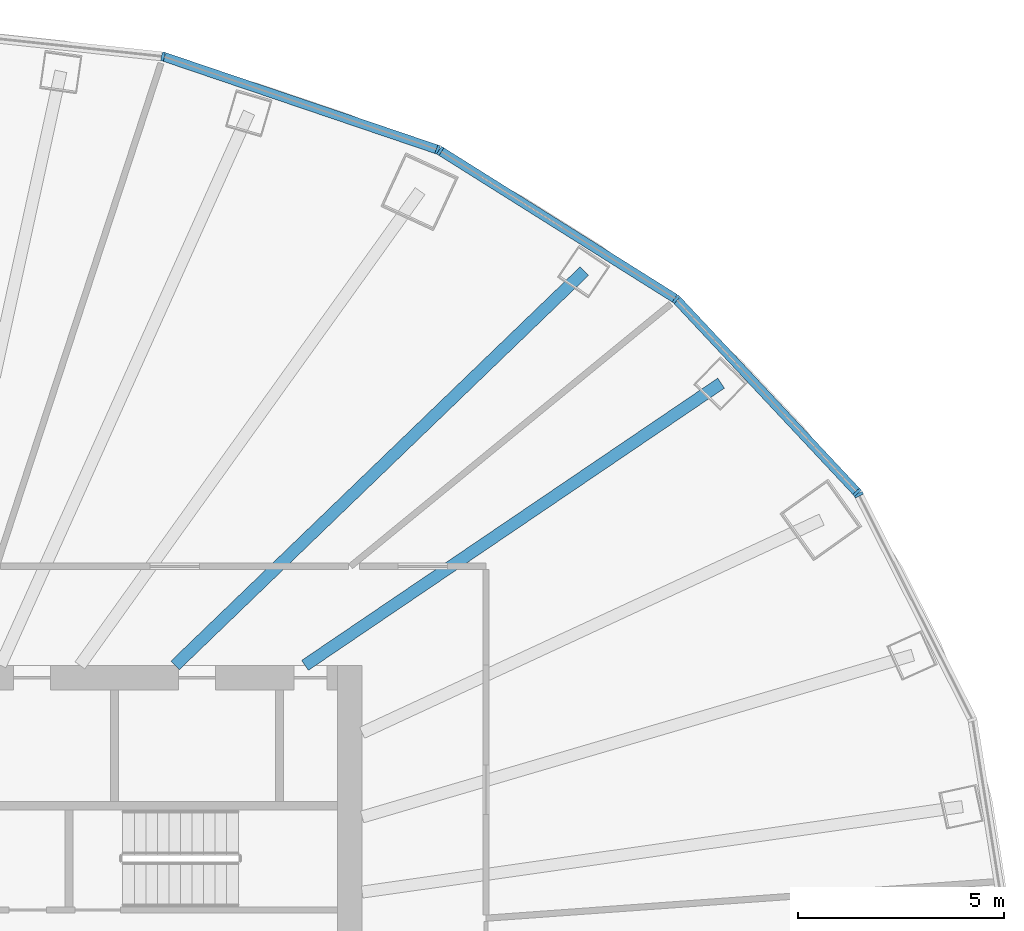
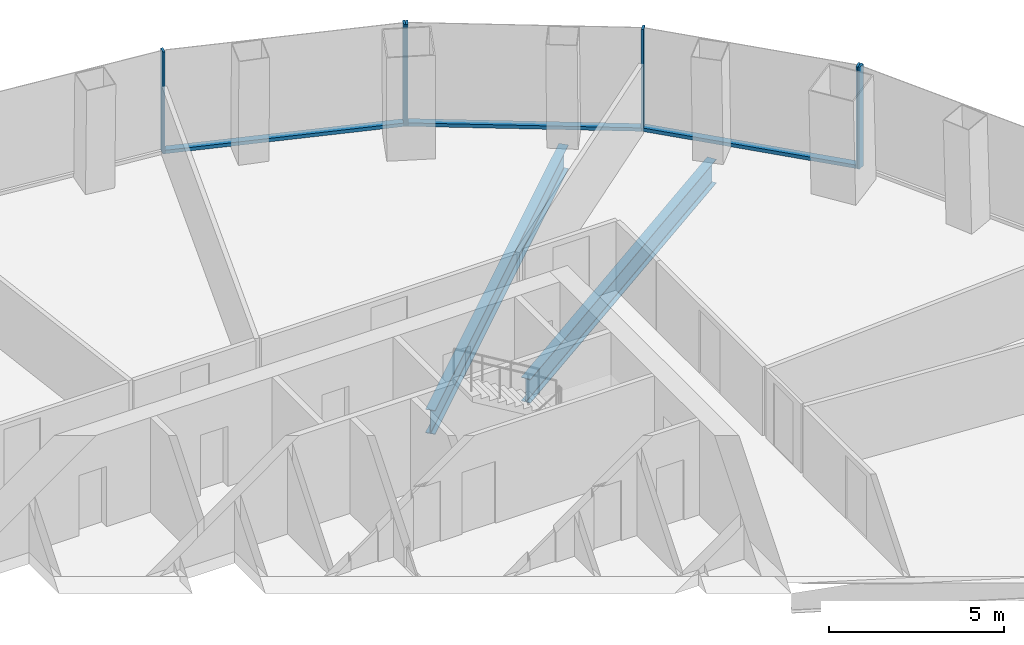
# One storey, part 6 of 11: 9 members, 2 beams, 3 elements without a shape of their own.
"""IFC4 building model written with IfcOpenShell, lengths in metres."""

import ifcopenshell
import ifcopenshell.guid

model = None  # the IFC model being written
_history = None  # IfcOwnerHistory: only IFC2X3 demands one
_inside = {}  # id of a spatial element -> (the spatial element, [elements in it])
_under = {}  # id of a project, library or spatial element -> (it, [spatial elements below it])
_declared = {}  # id of a project -> (the project, [libraries it declares])
_typed = {}  # id of a type object -> (the type object, [elements of that type])
_made_of = {}  # id of a material, layer set ... -> (it, [elements and type objects made of it])


def new_model(schema):
    """Start an empty IFC model of exactly this schema.

    Asked for "IFC4X3", IfcOpenShell would pick the latest addendum, in which some entities
    have other attributes; the version numbers below select the first issue.
    IFC2X3 requires an IfcOwnerHistory on every rooted entity: one is made here for all.
    """
    global model, _history
    if schema == "IFC4X3":
        model = ifcopenshell.file(schema_version=(4, 3, 0, 0))
    else:
        model = ifcopenshell.file(schema=schema)
    _inside.clear()
    _under.clear()
    _declared.clear()
    _typed.clear()
    _made_of.clear()
    _history = None
    if model.schema == "IFC2X3":
        org = make("IfcOrganization", Name="unknown")
        user = make(
            "IfcPersonAndOrganization",
            ThePerson=make("IfcPerson", FamilyName="unknown"),
            TheOrganization=org,
        )
        app = make(
            "IfcApplication",
            ApplicationDeveloper=org,
            Version="unknown",
            ApplicationFullName="unknown",
            ApplicationIdentifier="unknown",
        )
        _history = make(
            "IfcOwnerHistory",
            OwningUser=user,
            OwningApplication=app,
            ChangeAction="ADDED",
            CreationDate=0,
        )
    return model


def make(cls, **values):
    """One entity of the class cls with the attributes given. An attribute that is None is left unset."""
    return model.create_entity(
        cls, **{name: value for name, value in values.items() if value is not None}
    )


def rooted(cls, **values):
    """An entity with a GlobalId (a new one), such as an element, a storey or a relation."""
    return make(cls, GlobalId=ifcopenshell.guid.new(), OwnerHistory=_history, **values)


def si_unit(unit_type, name, prefix=None):
    """IfcSIUnit, for example si_unit("LENGTHUNIT", "METRE", prefix="MILLI")."""
    return make("IfcSIUnit", UnitType=unit_type, Prefix=prefix, Name=name)


def assignment(units):
    """IfcUnitAssignment: the units of a project."""
    return None if units is None else make("IfcUnitAssignment", Units=units)


def point(xyz):
    """IfcCartesianPoint."""
    return None if xyz is None else make("IfcCartesianPoint", Coordinates=xyz)


def direction(xyz):
    """IfcDirection."""
    return None if xyz is None else make("IfcDirection", DirectionRatios=xyz)


def frame(location, z_axis=None, x_axis=None):
    """IfcAxis2Placement3D, a coordinate frame: its origin and axes. An axis left out is left unset."""
    return make(
        "IfcAxis2Placement3D",
        Location=point(location),
        Axis=direction(z_axis),
        RefDirection=direction(x_axis),
    )


def frame_2d(location, x_axis=None):
    """IfcAxis2Placement2D, a coordinate frame in the plane: its origin and x axis."""
    return make(
        "IfcAxis2Placement2D", Location=point(location), RefDirection=direction(x_axis)
    )


def origin():
    """The frame at (0, 0, 0) with its axes left unset."""
    return frame((0.0, 0.0, 0.0))


def origin_2d():
    """The frame at (0, 0) in the plane with its x axis left unset."""
    return frame_2d((0.0, 0.0))


def place(relative_to, where):
    """IfcLocalPlacement: puts the frame where relative to a parent placement (None: the world)."""
    return make(
        "IfcLocalPlacement", PlacementRelTo=relative_to, RelativePlacement=where
    )


def context(
    kind, dimensions, precision=None, world=None, true_north=None, identifier=None
):
    """IfcGeometricRepresentationContext, for example the 3D "Model" context."""
    return make(
        "IfcGeometricRepresentationContext",
        ContextIdentifier=identifier,
        ContextType=kind,
        CoordinateSpaceDimension=dimensions,
        Precision=precision,
        WorldCoordinateSystem=world,
        TrueNorth=true_north,
    )


def subcontext(parent, identifier, kind, view, scale=None):
    """IfcGeometricRepresentationSubContext, for example "Body" below "Model"."""
    return make(
        "IfcGeometricRepresentationSubContext",
        ContextIdentifier=identifier,
        ContextType=kind,
        ParentContext=parent,
        TargetScale=scale,
        TargetView=view,
    )


def project(units=None, contexts=None):
    """IfcProject with its units and contexts."""
    return rooted(
        "IfcProject",
        Name="project",
        RepresentationContexts=contexts,
        UnitsInContext=assignment(units),
    )


def spatial(cls, under=None, at=None, **own):
    """A site, building, storey or space (cls), placed at a placement, below another one or the project."""
    s = rooted(cls, ObjectPlacement=at, **own)
    if under is not None:
        _under.setdefault(under.id(), (under, []))[1].append(s)
    return s


def profile(cls, at=None, kind="AREA", **sizes):
    """A parametric profile (cls). Its sizes go by their IFC names, for example OverallWidth=200.0."""
    return make(cls, ProfileType=kind, Position=at, **sizes)


def rectangle(**sizes):
    """IfcRectangleProfileDef."""
    return profile("IfcRectangleProfileDef", **sizes)


def i_section(**sizes):
    """IfcIShapeProfileDef."""
    return profile("IfcIShapeProfileDef", **sizes)


def extrude(swept, where, along, depth):
    """IfcExtrudedAreaSolid: the profile swept, set in the frame where, extruded along a direction by depth."""
    return make(
        "IfcExtrudedAreaSolid",
        SweptArea=swept,
        Position=where,
        ExtrudedDirection=direction(along),
        Depth=depth,
    )


def shape(context_of_items, identifier, shape_type, items):
    """IfcShapeRepresentation: the items that make up one representation, for example the "Body"."""
    return make(
        "IfcShapeRepresentation",
        ContextOfItems=context_of_items,
        RepresentationIdentifier=identifier,
        RepresentationType=shape_type,
        Items=items,
    )


def material(Name=None, Category=None):
    """IfcMaterial."""
    return make("IfcMaterial", Name=Name, Category=Category)


def layer(
    of_material, thickness, ventilated=None, Name=None, Category=None, Priority=None
):
    """IfcMaterialLayer: one layer of a wall or slab, of a material (None: an air gap)."""
    return make(
        "IfcMaterialLayer",
        Material=of_material,
        LayerThickness=thickness,
        IsVentilated=ventilated,
        Name=Name,
        Category=Category,
        Priority=Priority,
    )


def layer_set(layers, Name=None):
    """IfcMaterialLayerSet."""
    return make("IfcMaterialLayerSet", MaterialLayers=layers, LayerSetName=Name)


def material_profile(
    of_material, cross_section, Name=None, Category=None, Priority=None
):
    """IfcMaterialProfile: a cross section and its material."""
    return make(
        "IfcMaterialProfile",
        Name=Name,
        Material=of_material,
        Profile=cross_section,
        Priority=Priority,
        Category=Category,
    )


def profile_set(profiles, Name=None, composite=None):
    """IfcMaterialProfileSet."""
    return make(
        "IfcMaterialProfileSet",
        Name=Name,
        MaterialProfiles=profiles,
        CompositeProfile=composite,
    )


def made_of(thing, what):
    """Note that an element or type object is made of a material, layer set ...; save() writes the relation."""
    if what is not None:
        _made_of.setdefault(what.id(), (what, []))[1].append(thing)
    return thing


def type_object(cls, material=None, **own):
    """A type object (cls), such as IfcWallType, which elements share."""
    return made_of(rooted(cls, **own), material)


def element(
    cls,
    number,
    at=None,
    inside=None,
    cuts=None,
    type_object=None,
    material=None,
    context=None,
    identifier="Body",
    shape_type=None,
    held_by="IfcProductDefinitionShape",
    body=None,
    shapes=None,
    **own,
):
    """One element of the class cls, such as IfcWall. Its Tag is "e" and its number.

    at: its placement. inside: the storey or other place that contains it. cuts: it is an
    opening in that element (IfcRelVoidsElement). A single representation is given by context,
    identifier, shape_type and body (its items); several are given by shapes. held_by: the class
    of the entity that holds the representations. save() writes the other relations.
    """
    e = rooted(cls, Tag="e%d" % number, ObjectPlacement=at, **own)
    if body is not None:
        shapes = [shape(context, identifier, shape_type, body)]
    if shapes is not None:
        e.Representation = make(held_by, Representations=shapes)
    if inside is not None:
        _inside.setdefault(inside.id(), (inside, []))[1].append(e)
    if cuts is not None:
        rooted(
            "IfcRelVoidsElement", RelatingBuildingElement=cuts, RelatedOpeningElement=e
        )
    if type_object is not None:
        _typed.setdefault(type_object.id(), (type_object, []))[1].append(e)
    return made_of(e, material)


def aggregate(whole, parts):
    """IfcRelAggregates: a whole, such as a stair, and the parts it consists of."""
    return rooted("IfcRelAggregates", RelatingObject=whole, RelatedObjects=parts)


def save(model, path):
    """Write the relations noted so far, then the file.

    IfcRelAggregates (storeys below a building ...), IfcRelContainedInSpatialStructure (elements
    in a storey), IfcRelDefinesByType, IfcRelAssociatesMaterial and IfcRelDeclares: one each for
    every whole, place, type object, material and project.
    """
    for whole, parts in _under.values():
        aggregate(whole, parts)
    for where, things in _inside.values():
        rooted(
            "IfcRelContainedInSpatialStructure",
            RelatedElements=things,
            RelatingStructure=where,
        )
    for kind, things in _typed.values():
        rooted("IfcRelDefinesByType", RelatedObjects=things, RelatingType=kind)
    for what, things in _made_of.values():
        rooted("IfcRelAssociatesMaterial", RelatedObjects=things, RelatingMaterial=what)
    for by, libraries in _declared.values():
        rooted("IfcRelDeclares", RelatingContext=by, RelatedDefinitions=libraries)
    model.write(path)


model = new_model("IFC4")

# Units and contexts
model_context = context("Model", 3, precision=1e-05, world=origin(), true_north=direction((0.0, 1.0)))
body_context = subcontext(model_context, "Body", "Model", "MODEL_VIEW")
ifc_project = project(units=[si_unit("LENGTHUNIT", "METRE"), si_unit("AREAUNIT", "SQUARE_METRE"), si_unit("VOLUMEUNIT", "CUBIC_METRE"), si_unit("PLANEANGLEUNIT", "RADIAN"), si_unit("MASSUNIT", "GRAM", prefix="KILO")], contexts=[model_context])

# Site, building, storey
site_placement = place(None, origin())
site = spatial("IfcSite", under=ifc_project, at=site_placement, CompositionType="ELEMENT")
building_placement = place(site_placement, origin())
building = spatial("IfcBuilding", under=site, at=building_placement, Name="Siaravel Broadcast Tower", CompositionType="ELEMENT")
storey_placement = place(building_placement, frame((0.0, 0.0, 51.89990234375)))
storey = spatial("IfcBuildingStorey", under=building, at=storey_placement, Name="L11", CompositionType="ELEMENT", Elevation=51.89990234375)

# Beams
ifc_material_1 = material(Name="Steel S355", Category="steel")
ifc_material_profile_1 = material_profile(ifc_material_1, i_section(OverallWidth=0.291748046875, OverallDepth=0.8349609375, WebThickness=0.013916015625, FlangeThickness=0.018798828125, FilletRadius=0.017822265625, at=origin_2d()))
ifc_profile_set_1 = profile_set([ifc_material_profile_1], Name="Steel S355")
beam_type = type_object("IfcBeamType", Name="BM-UB 838x292x176", PredefinedType="BEAM", material=ifc_profile_set_1)
beam_1_placement = place(storey_placement, frame((20.69580078125, 14.0361328125, -0.5673828125), z_axis=(-0.827610801, -0.56130238, 0.0), x_axis=(0.56130238, -0.827610801, 0.0)))
element("IfcBeam", 1, at=beam_1_placement, inside=storey, type_object=beam_type, Name="Radial beam RB05", PredefinedType="BEAM", context=body_context, shape_type="SweptSolid", body=[
    extrude(i_section(OverallWidth=0.291748046875, OverallDepth=0.8349609375, WebThickness=0.013916015625, FlangeThickness=0.018798828125, FilletRadius=0.017822265625, at=origin_2d()), origin(), (0.0, 0.0, 1.0), 12.17919921875),
])
beam_2_placement = place(storey_placement, frame((17.381591796875, 16.750732421875, -0.5673828125), z_axis=(-0.720050335, -0.693921836, 0.0), x_axis=(0.693921836, -0.720050335, 0.0)))
element("IfcBeam", 2, at=beam_2_placement, inside=storey, type_object=beam_type, Name="Radial beam RB06", PredefinedType="BEAM", context=body_context, shape_type="SweptSolid", body=[
    extrude(i_section(OverallWidth=0.291748046875, OverallDepth=0.8349609375, WebThickness=0.013916015625, FlangeThickness=0.018798828125, FilletRadius=0.017822265625, at=origin_2d()), origin(), (0.0, 0.0, 1.0), 13.763427734375),
])

# Curtain wall, member
ifc_material_2 = material(Name="Aluminium 6063-T6", Category="aluminium")
ifc_layer = layer(ifc_material_2, 0.219970703125)
ifc_layer_set = layer_set([ifc_layer], Name="Aluminium 6063-T6")
curtain_wall_type = type_object("IfcCurtainWallType", Name="Unitised curtain wall, zone 1", PredefinedType="NOTDEFINED", material=ifc_layer_set)
curtain_wall_1_placement = place(storey_placement, origin())
curtain_wall_1 = element("IfcCurtainWall", 3, at=curtain_wall_1_placement, inside=storey, type_object=curtain_wall_type, Name="L11 Unitised curtain wall, zone 1 01", PredefinedType="NOTDEFINED")
ifc_material_profile_2 = material_profile(ifc_material_2, rectangle(XDim=0.219970703125, YDim=0.070068359375, at=origin_2d()))
ifc_profile_set_2 = profile_set([ifc_material_profile_2], Name="Aluminium 6063-T6")
member_type_1 = type_object("IfcMemberType", Name="CW-Z1 mullion", PredefinedType="MULLION", material=ifc_profile_set_2)
member_1_placement = place(storey_placement, frame((24.02978515625, 11.3349609375, 0.0), z_axis=(0.0, 0.0, 1.0), x_axis=(-0.892391886, -0.451261257, 0.0)))
member_1 = element("IfcMember", 4, at=member_1_placement, type_object=member_type_1, Name="CW-Z1 mullion 3", PredefinedType="MULLION", context=body_context, shape_type="SweptSolid", body=[
    extrude(rectangle(XDim=0.219970703125, YDim=0.070068359375, at=origin_2d()), origin(), (0.0, 0.0, 1.0), 3.550048828125),
])
aggregate(curtain_wall_1, [member_1])

# Curtain wall, members
curtain_wall_2_placement = place(storey_placement, origin())
curtain_wall_2 = element("IfcCurtainWall", 5, at=curtain_wall_2_placement, inside=storey, type_object=curtain_wall_type, Name="L11 Unitised curtain wall, zone 1 02", PredefinedType="NOTDEFINED")
member_2_placement = place(storey_placement, frame((23.990234375, 11.3916015625, 0.0), z_axis=(0.0, 0.0, 1.0), x_axis=(-0.729805061, -0.683655302, 0.0)))
member_2 = element("IfcMember", 6, at=member_2_placement, type_object=member_type_1, Name="CW-Z1 mullion 1", PredefinedType="MULLION", context=body_context, shape_type="SweptSolid", body=[
    extrude(rectangle(XDim=0.219970703125, YDim=0.070068359375, at=origin_2d()), origin(), (0.0, 0.0, 1.0), 3.550048828125),
])
member_3_placement = place(storey_placement, frame((19.605712890625, 16.072021484375, 0.0), z_axis=(0.0, 0.0, 1.0), x_axis=(-0.636218527, -0.771508902, 0.0)))
member_3 = element("IfcMember", 7, at=member_3_placement, type_object=member_type_1, Name="CW-Z1 mullion 2", PredefinedType="MULLION", context=body_context, shape_type="SweptSolid", body=[
    extrude(rectangle(XDim=0.219970703125, YDim=0.070068359375, at=origin_2d()), origin(), (0.0, 0.0, 1.0), 3.550048828125),
])
member_4_placement = place(storey_placement, frame((13.89208984375, 19.663330078125, 0.0), z_axis=(0.0, 0.0, 1.0), x_axis=(-0.532149214, -0.846650586, 0.0)))
member_4 = element("IfcMember", 8, at=member_4_placement, type_object=member_type_1, Name="CW-Z1 mullion 3", PredefinedType="MULLION", context=body_context, shape_type="SweptSolid", body=[
    extrude(rectangle(XDim=0.219970703125, YDim=0.070068359375, at=origin_2d()), origin(), (0.0, 0.0, 1.0), 3.550048828125),
])

curtain_wall_3_placement = place(storey_placement, origin())
curtain_wall_3 = element("IfcCurtainWall", 9, at=curtain_wall_3_placement, inside=storey, type_object=curtain_wall_type, Name="L11 Unitised curtain wall, zone 1 03", PredefinedType="NOTDEFINED")
member_5_placement = place(storey_placement, frame((13.8291015625, 19.693115234375, 0.0), z_axis=(0.0, 0.0, 1.0), x_axis=(-0.321300709, -0.94697722, 0.0)))
member_5 = element("IfcMember", 10, at=member_5_placement, type_object=member_type_1, Name="CW-Z1 mullion 1", PredefinedType="MULLION", context=body_context, shape_type="SweptSolid", body=[
    extrude(rectangle(XDim=0.219970703125, YDim=0.070068359375, at=origin_2d()), origin(), (0.0, 0.0, 1.0), 3.550048828125),
])
member_6_placement = place(storey_placement, frame((7.17529296875, 21.95068359375, 0.0), z_axis=(0.0, 0.0, 1.0), x_axis=(-0.215558136, -0.976491009, 0.0)))
member_6 = element("IfcMember", 11, at=member_6_placement, type_object=member_type_1, Name="CW-Z1 mullion 2", PredefinedType="MULLION", context=body_context, shape_type="SweptSolid", body=[
    extrude(rectangle(XDim=0.219970703125, YDim=0.070068359375, at=origin_2d()), origin(), (0.0, 0.0, 1.0), 3.550048828125),
])

# Member
ifc_material_profile_3 = material_profile(ifc_material_2, rectangle(XDim=0.219970703125, YDim=0.1201171875, at=origin_2d()))
ifc_profile_set_3 = profile_set([ifc_material_profile_3], Name="Aluminium 6063-T6")
member_type_2 = type_object("IfcMemberType", Name="CW-Z1 transom", PredefinedType="USERDEFINED", material=ifc_profile_set_3)
member_7_placement = place(storey_placement, frame((23.96630859375, 11.417236328125, 0.06005859375), z_axis=(-0.683676063, 0.729785613, 0.0), x_axis=(-0.729785613, -0.683676063, 0.0)))
member_7 = element("IfcMember", 12, at=member_7_placement, type_object=member_type_2, Name="CW-Z1 transom 1", ObjectType="TRANSOM", PredefinedType="USERDEFINED", context=body_context, shape_type="SweptSolid", body=[
    extrude(rectangle(XDim=0.219970703125, YDim=0.1201171875, at=origin_2d()), origin(), (0.0, 0.0, 1.0), 6.34326171875),
])

member_8_placement = place(storey_placement, frame((19.576171875, 16.0908203125, 0.06005859375), z_axis=(-0.846658666, 0.532136358, 0.0), x_axis=(-0.532136358, -0.846658666, 0.0)))
member_8 = element("IfcMember", 13, at=member_8_placement, type_object=member_type_2, Name="CW-Z1 transom 2", ObjectType="TRANSOM", PredefinedType="USERDEFINED", context=body_context, shape_type="SweptSolid", body=[
    extrude(rectangle(XDim=0.219970703125, YDim=0.1201171875, at=origin_2d()), origin(), (0.0, 0.0, 1.0), 6.6787109375),
])

aggregate(curtain_wall_2, [member_2, member_3, member_4, member_7, member_8])

member_9_placement = place(storey_placement, frame((13.7958984375, 19.70458984375, 0.06005859375), z_axis=(-0.946974505, 0.321308709, 0.0), x_axis=(-0.321308709, -0.946974505, 0.0)))
member_9 = element("IfcMember", 14, at=member_9_placement, type_object=member_type_2, Name="CW-Z1 transom 1", ObjectType="TRANSOM", PredefinedType="USERDEFINED", context=body_context, shape_type="SweptSolid", body=[
    extrude(rectangle(XDim=0.219970703125, YDim=0.1201171875, at=origin_2d()), origin(), (0.0, 0.0, 1.0), 6.956298828125),
])

aggregate(curtain_wall_3, [member_5, member_6, member_9])

save(model, "model.ifc")
